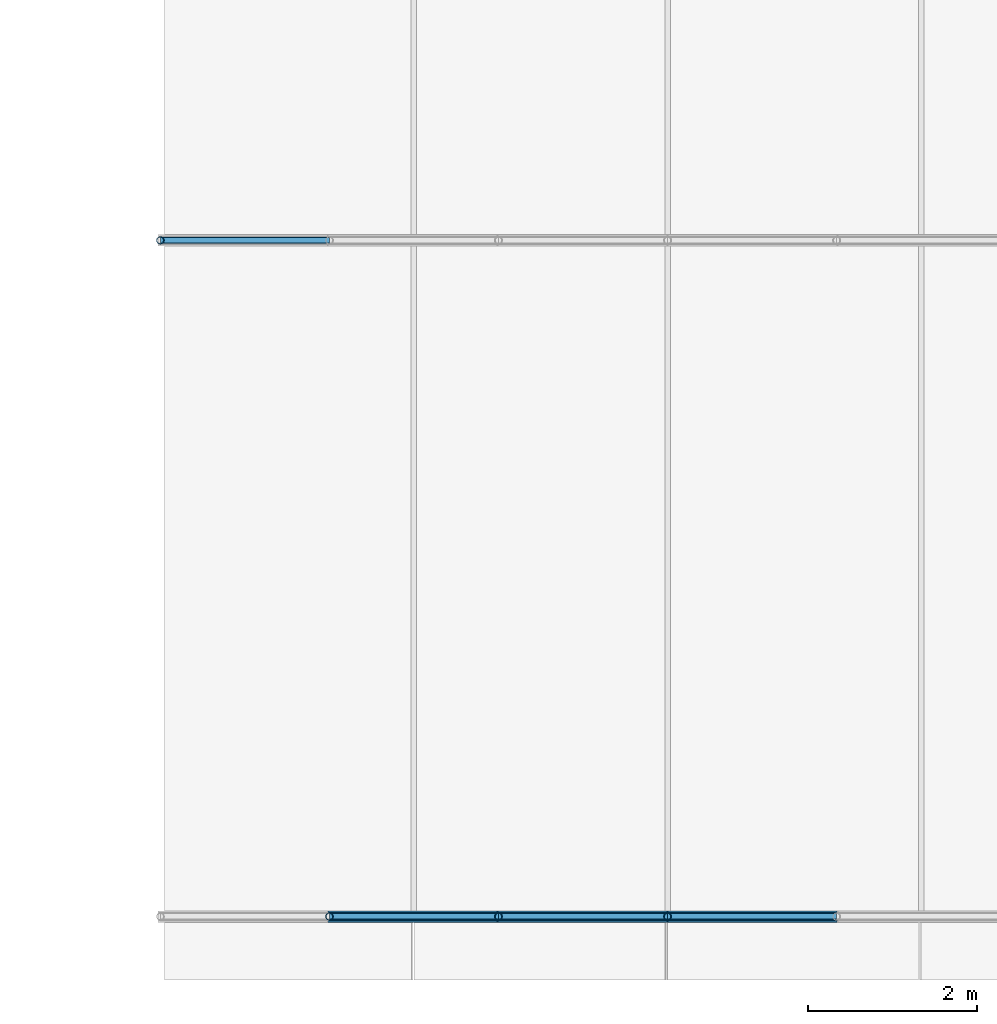
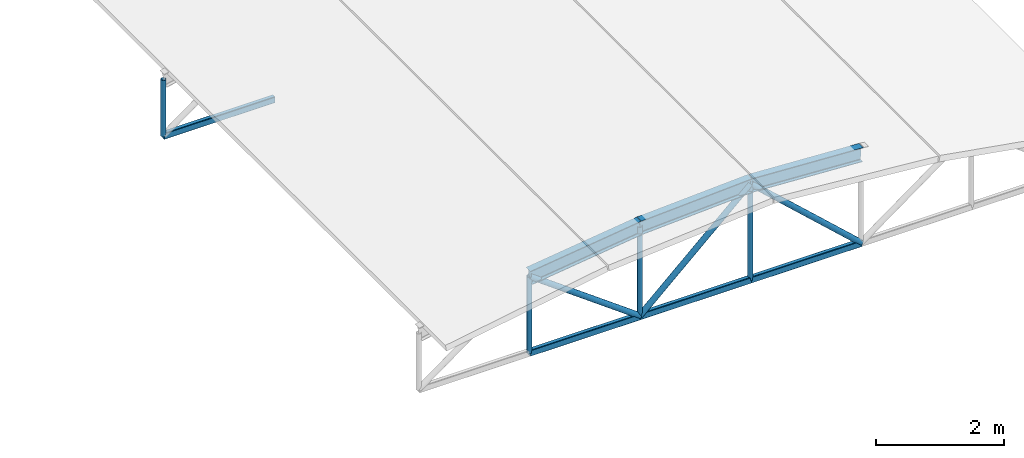
# One storey, part 5 of 54: 14 members.
"""IFC4 building model written with IfcOpenShell, lengths in metres."""

from ifc_helpers import new_model, si_unit, derived_unit, direction, frame, origin, origin_2d, place, context, subcontext, project, spatial, hollow_rectangle, hollow_circle, i_section, extrude, material, material_profile, profile_set, type_object, element, save


model = new_model("IFC4")

# Units and contexts
model_context = context("Model", 3, precision=1e-05, world=origin(), true_north=direction((0.0, 1.0)))
body_context = subcontext(model_context, "Body", "Model", "MODEL_VIEW")
ifc_project = project(units=[si_unit("LENGTHUNIT", "METRE"), si_unit("AREAUNIT", "SQUARE_METRE"), si_unit("VOLUMEUNIT", "CUBIC_METRE"), si_unit("PLANEANGLEUNIT", "RADIAN"), si_unit("MASSUNIT", "GRAM", prefix="KILO"), derived_unit("THERMALTRANSMITTANCEUNIT", [(si_unit("POWERUNIT", "WATT"), 1), (si_unit("LENGTHUNIT", "METRE"), -2), (si_unit("THERMODYNAMICTEMPERATUREUNIT", "KELVIN"), -1)])], contexts=[model_context])

# Site, building, storey
site_placement = place(None, origin())
site = spatial("IfcSite", under=ifc_project, at=site_placement, CompositionType="ELEMENT")
building_placement = place(site_placement, origin())
building = spatial("IfcBuilding", under=site, at=building_placement, Name="Keldorne Ridge Multi-Sports Centre", CompositionType="ELEMENT")
storey_placement = place(building_placement, frame((0.0, 0.0, 22.199951171875)))
storey = spatial("IfcBuildingStorey", under=building, at=storey_placement, Name="ROOF", CompositionType="ELEMENT", Elevation=22.199951171875)

# Members
ifc_material = material(Name="Steel S355", Category="steel")
ifc_material_profile_1 = material_profile(ifc_material, i_section(OverallWidth=0.135009765625, OverallDepth=0.27001953125, WebThickness=0.006591796875, FlangeThickness=0.01025390625, FilletRadius=0.014892578125, at=origin_2d()), Name="IPE 270")
ifc_profile_set_1 = profile_set([ifc_material_profile_1], Name="Steel S355")
member_type_1 = type_object("IfcMemberType", Name="MEM-RF-02", PredefinedType="RAFTER", material=ifc_profile_set_1)
member_1_placement = place(storey_placement, frame((86.0, 6.0, -12.260009765625), z_axis=(0.991654998325, 0.0, 0.128919991848), x_axis=(0.0, 1.0, 0.0)))
element("IfcMember", 1, at=member_1_placement, inside=storey, type_object=member_type_1, Name="Public Passage bowstring arch top chord 01.2", PredefinedType="RAFTER", context=body_context, shape_type="SweptSolid", body=[
    extrude(i_section(OverallWidth=0.135009765625, OverallDepth=0.27001953125, WebThickness=0.006591796875, FlangeThickness=0.01025390625, FilletRadius=0.014892578125, at=origin_2d()), origin(), (0.0, 0.0, 1.0), 2.016845703125),
])
for number, where, z_axis, x_axis, name in (
    (2, (88.0, 6.0, -12.0), (0.998487980686, 0.0, 0.054970468663), (0.0, 1.0, 0.0), "Public Passage bowstring arch top chord 01.3"),
    (3, (90.0, 6.0, -11.889892578125), (0.998487980686, 0.0, -0.054970468663), (0.0, 1.0, 0.0), "Public Passage bowstring arch top chord 01.4"),
):
    element("IfcMember", number, at=place(storey_placement, frame(where, z_axis=z_axis, x_axis=x_axis)), inside=storey, type_object=member_type_1, Name=name, PredefinedType="RAFTER", context=body_context, shape_type="SweptSolid", body=[
        extrude(i_section(OverallWidth=0.135009765625, OverallDepth=0.27001953125, WebThickness=0.006591796875, FlangeThickness=0.01025390625, FilletRadius=0.014892578125, at=origin_2d()), origin(), (0.0, 0.0, 1.0), 2.0029296875),
    ])
ifc_material_profile_2 = material_profile(ifc_material, hollow_rectangle(XDim=0.080078125, YDim=0.1201171875, WallThickness=0.008056640625, InnerFilletRadius=0.008056640625, OuterFilletRadius=0.01611328125, at=origin_2d()), Name="RHS 120x80x8")
ifc_profile_set_2 = profile_set([ifc_material_profile_2], Name="Steel S355")
member_type_2 = type_object("IfcMemberType", Name="MEM-TC-07", PredefinedType="CHORD", material=ifc_profile_set_2)
for number, where, z_axis, x_axis, name in (
    (4, (86.0, 6.0, -13.719970703125), (1.0, 0.0, 0.0), (0.0, 1.0, 0.0), "Public Passage bowstring tie chord 01.2"),
    (5, (88.0, 6.0, -13.719970703125), (1.0, 0.0, 0.0), (0.0, 1.0, 0.0), "Public Passage bowstring tie chord 01.3"),
    (6, (90.0, 6.0, -13.719970703125), (1.0, 0.0, 0.0), (0.0, 1.0, 0.0), "Public Passage bowstring tie chord 01.4"),
    (7, (84.0, 14.0, -13.719970703125), (1.0, 0.0, 0.0), (0.0, 1.0, 0.0), "Public Passage bowstring tie chord 02.1"),
):
    element("IfcMember", number, at=place(storey_placement, frame(where, z_axis=z_axis, x_axis=x_axis)), inside=storey, type_object=member_type_2, Name=name, PredefinedType="CHORD", context=body_context, shape_type="SweptSolid", body=[
        extrude(hollow_rectangle(XDim=0.080078125, YDim=0.1201171875, WallThickness=0.008056640625, InnerFilletRadius=0.008056640625, OuterFilletRadius=0.01611328125, at=origin_2d()), origin(), (0.0, 0.0, 1.0), 2.0),
    ])
ifc_material_profile_3 = material_profile(ifc_material, hollow_circle(Radius=0.05078125, WallThickness=0.00634765625, at=origin_2d()), Name="CHS 101.6x6.3")
ifc_profile_set_3 = profile_set([ifc_material_profile_3], Name="Steel S355")
member_type_3 = type_object("IfcMemberType", Name="MEM-TD-05", PredefinedType="BRACE", material=ifc_profile_set_3)
member_2_placement = place(storey_placement, frame((86.0, 6.0, -12.260009765625), z_axis=(0.8076945033, 0.0, -0.589601212125), x_axis=(0.0, 1.0, 0.0)))
element("IfcMember", 8, at=member_2_placement, inside=storey, type_object=member_type_3, Name="Public Passage bowstring web diagonal 01.2", PredefinedType="BRACE", context=body_context, shape_type="SweptSolid", body=[
    extrude(hollow_circle(Radius=0.05078125, WallThickness=0.00634765625, at=origin_2d()), origin(), (0.0, 0.0, 1.0), 2.47607421875),
])
for number, where, z_axis, x_axis, name in (
    (9, (88.0, 6.0, -13.719970703125), (0.737751969913, 0.0, 0.675071870907), (0.0, 1.0, 0.0), "Public Passage bowstring web diagonal 01.3"),
    (10, (90.0, 6.0, -11.889892578125), (0.737751969913, 0.0, -0.675071870907), (0.0, 1.0, 0.0), "Public Passage bowstring web diagonal 01.4"),
):
    element("IfcMember", number, at=place(storey_placement, frame(where, z_axis=z_axis, x_axis=x_axis)), inside=storey, type_object=member_type_3, Name=name, PredefinedType="BRACE", context=body_context, shape_type="SweptSolid", body=[
        extrude(hollow_circle(Radius=0.05078125, WallThickness=0.00634765625, at=origin_2d()), origin(), (0.0, 0.0, 1.0), 2.7109375),
    ])
ifc_material_profile_4 = material_profile(ifc_material, hollow_circle(Radius=0.04443359375, WallThickness=0.0048828125, at=origin_2d()), Name="CHS 88.9x5")
ifc_profile_set_4 = profile_set([ifc_material_profile_4], Name="Steel S355")
member_type_4 = type_object("IfcMemberType", Name="MEM-TV-07", PredefinedType="STRUT", material=ifc_profile_set_4)
member_3_placement = place(storey_placement, frame((86.0, 6.0, -13.719970703125), z_axis=(0.0, 0.0, 1.0), x_axis=(1.0, 0.0, 0.0)))
element("IfcMember", 11, at=member_3_placement, inside=storey, type_object=member_type_4, Name="Public Passage bowstring hanger 01.2", PredefinedType="STRUT", context=body_context, shape_type="SweptSolid", body=[
    extrude(hollow_circle(Radius=0.04443359375, WallThickness=0.0048828125, at=origin_2d()), origin(), (0.0, 0.0, 1.0), 1.4599609375),
])
member_4_placement = place(storey_placement, frame((88.0, 6.0, -13.719970703125), z_axis=(0.0, 0.0, 1.0), x_axis=(1.0, 0.0, 0.0)))
element("IfcMember", 12, at=member_4_placement, inside=storey, type_object=member_type_4, Name="Public Passage bowstring hanger 01.3", PredefinedType="STRUT", context=body_context, shape_type="SweptSolid", body=[
    extrude(hollow_circle(Radius=0.04443359375, WallThickness=0.0048828125, at=origin_2d()), origin(), (0.0, 0.0, 1.0), 1.719970703125),
])
member_5_placement = place(storey_placement, frame((90.0, 6.0, -13.719970703125), z_axis=(0.0, 0.0, 1.0), x_axis=(1.0, 0.0, 0.0)))
element("IfcMember", 13, at=member_5_placement, inside=storey, type_object=member_type_4, Name="Public Passage bowstring hanger 01.4", PredefinedType="STRUT", context=body_context, shape_type="SweptSolid", body=[
    extrude(hollow_circle(Radius=0.04443359375, WallThickness=0.0048828125, at=origin_2d()), origin(), (0.0, 0.0, 1.0), 1.830078125),
])
member_6_placement = place(storey_placement, frame((84.0, 14.0, -13.719970703125), z_axis=(0.0, 0.0, 1.0), x_axis=(1.0, 0.0, 0.0)))
element("IfcMember", 14, at=member_6_placement, inside=storey, type_object=member_type_4, Name="Public Passage bowstring hanger 02.1", PredefinedType="STRUT", context=body_context, shape_type="SweptSolid", body=[
    extrude(hollow_circle(Radius=0.04443359375, WallThickness=0.0048828125, at=origin_2d()), origin(), (0.0, 0.0, 1.0), 1.080078125),
])

save(model, "model.ifc")
